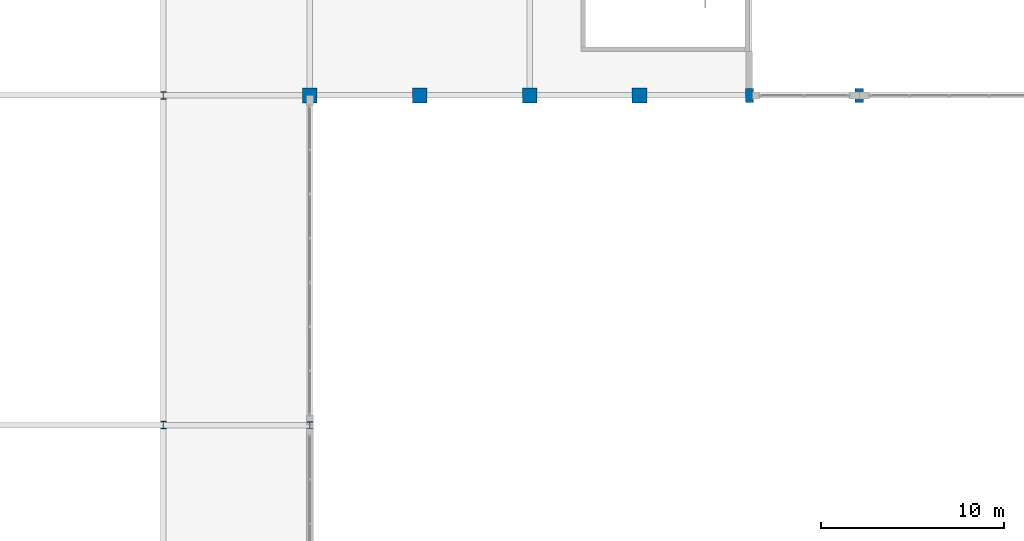
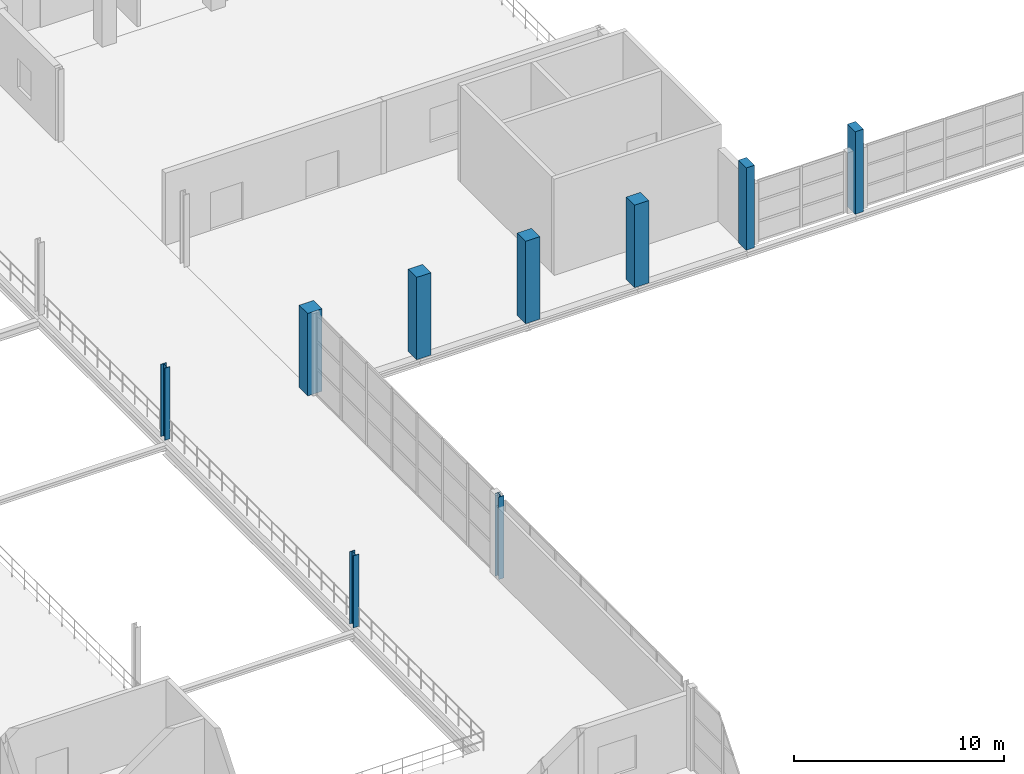
# One storey, part 6 of 147: 9 columns.
"""IFC4 building model written with IfcOpenShell, lengths in metres."""

from ifc_helpers import new_model, si_unit, direction, frame, origin, origin_2d, place, context, subcontext, project, spatial, rectangle, i_section, extrude, material, material_profile, profile_set, type_object, element, save


model = new_model("IFC4")

# Units and contexts
model_context = context("Model", 3, precision=1e-05, world=origin(), true_north=direction((0.0, 1.0)))
body_context = subcontext(model_context, "Body", "Model", "MODEL_VIEW")
ifc_project = project(units=[si_unit("LENGTHUNIT", "METRE"), si_unit("AREAUNIT", "SQUARE_METRE"), si_unit("VOLUMEUNIT", "CUBIC_METRE"), si_unit("PLANEANGLEUNIT", "RADIAN"), si_unit("MASSUNIT", "GRAM", prefix="KILO")], contexts=[model_context])

# Site, building, storey
site_placement = place(None, origin())
site = spatial("IfcSite", under=ifc_project, at=site_placement, CompositionType="ELEMENT")
building_placement = place(site_placement, origin())
building = spatial("IfcBuilding", under=site, at=building_placement, Name="Zilviju Railside Exhibition Hall", CompositionType="ELEMENT")
storey_placement = place(building_placement, frame((0.0, 0.0, 8.39990234375)))
storey = spatial("IfcBuildingStorey", under=building, at=storey_placement, Name="L03", CompositionType="ELEMENT", Elevation=8.39990234375)

# Columns
ifc_material_1 = material(Name="Concrete C40/50", Category="concrete")
ifc_material_profile_1 = material_profile(ifc_material_1, rectangle(XDim=0.800048828125, YDim=0.800048828125, at=origin_2d()), Name="RC COL 800x800")
ifc_profile_set_1 = profile_set([ifc_material_profile_1], Name="Concrete C40/50")
column_type_1 = type_object("IfcColumnType", Name="COL-RC-800", PredefinedType="COLUMN", material=ifc_profile_set_1)
for number, where, z_axis, x_axis, name in (
    (1, (78.0, 54.0, 0.0), (0.0, 0.0, 1.0), (1.0, 0.0, 0.0), "Structural Column L03 (78.0, 54.0)"),
    (2, (84.0, 54.0, 0.0), (0.0, 0.0, 1.0), (1.0, 0.0, 0.0), "Structural Column L03 (84.0, 54.0)"),
    (3, (90.0, 54.0, 0.0), (0.0, 0.0, 1.0), (1.0, 0.0, 0.0), "Structural Column L03 (90.0, 54.0)"),
    (4, (96.0, 54.0, 0.0), (0.0, 0.0, 1.0), (1.0, 0.0, 0.0), "Structural Column L03 (96.0, 54.0)"),
):
    element("IfcColumn", number, at=place(storey_placement, frame(where, z_axis=z_axis, x_axis=x_axis)), inside=storey, type_object=column_type_1, Name=name, PredefinedType="COLUMN", context=body_context, shape_type="SweptSolid", body=[
        extrude(rectangle(XDim=0.800048828125, YDim=0.800048828125, at=origin_2d()), origin(), (0.0, 0.0, 1.0), 4.800048828125),
    ])
ifc_material_2 = material(Name="Steel S355J2", Category="steel")
ifc_material_profile_2 = material_profile(ifc_material_2, i_section(OverallWidth=0.300048828125, OverallDepth=0.360107421875, WebThickness=0.012451171875, FlangeThickness=0.0224609375, at=origin_2d()), Name="HEB 360")
ifc_profile_set_2 = profile_set([ifc_material_profile_2], Name="Steel S355J2")
column_type_2 = type_object("IfcColumnType", Name="COL-ST-HEB360", PredefinedType="COLUMN", material=ifc_profile_set_2)
column_placement = place(storey_placement, frame((78.0, 36.0, 0.0), z_axis=(0.0, 0.0, 1.0), x_axis=(1.0, 0.0, 0.0)))
element("IfcColumn", 5, at=column_placement, inside=storey, type_object=column_type_2, Name="Structural Column L03 (78.0, 36.0)", PredefinedType="COLUMN", context=body_context, shape_type="SweptSolid", body=[
    extrude(i_section(OverallWidth=0.300048828125, OverallDepth=0.360107421875, WebThickness=0.012451171875, FlangeThickness=0.0224609375, at=origin_2d()), origin(), (0.0, 0.0, 1.0), 4.800048828125),
])
ifc_material_profile_3 = material_profile(ifc_material_2, i_section(OverallWidth=0.300048828125, OverallDepth=0.39990234375, WebThickness=0.013427734375, FlangeThickness=0.02392578125, at=origin_2d()), Name="HEB 400")
ifc_profile_set_3 = profile_set([ifc_material_profile_3], Name="Steel S355J2")
column_type_3 = type_object("IfcColumnType", Name="COL-ST-HEB400", PredefinedType="COLUMN", material=ifc_profile_set_3)
for number, where, z_axis, x_axis, name in (
    (6, (70.0, 36.0, 0.0), (0.0, 0.0, 1.0), (1.0, 0.0, 0.0), "Structural Column L03 (70.0, 36.0)"),
    (7, (70.0, 54.0, 0.0), (0.0, 0.0, 1.0), (1.0, 0.0, 0.0), "Structural Column L03 (70.0, 54.0)"),
):
    element("IfcColumn", number, at=place(storey_placement, frame(where, z_axis=z_axis, x_axis=x_axis)), inside=storey, type_object=column_type_3, Name=name, PredefinedType="COLUMN", context=body_context, shape_type="SweptSolid", body=[
        extrude(i_section(OverallWidth=0.300048828125, OverallDepth=0.39990234375, WebThickness=0.013427734375, FlangeThickness=0.02392578125, at=origin_2d()), origin(), (0.0, 0.0, 1.0), 4.2001953125),
    ])
ifc_material_profile_4 = material_profile(ifc_material_1, rectangle(XDim=0.449951171875, YDim=0.75, at=origin_2d()), Name="RC COL 450x750")
ifc_profile_set_4 = profile_set([ifc_material_profile_4], Name="Concrete C40/50")
column_type_4 = type_object("IfcColumnType", Name="PIL-RC-750x450", PredefinedType="PILASTER", material=ifc_profile_set_4)
for number, where, z_axis, x_axis, name in (
    (8, (102.0, 54.0, 0.0), (0.0, 0.0, 1.0), (1.0, 0.0, 0.0), "Structural Column L03 (102.0, 54.0)"),
    (9, (108.0, 54.0, 0.0), (0.0, 0.0, 1.0), (1.0, 0.0, 0.0), "Structural Column L03 (108.0, 54.0)"),
):
    element("IfcColumn", number, at=place(storey_placement, frame(where, z_axis=z_axis, x_axis=x_axis)), inside=storey, type_object=column_type_4, Name=name, PredefinedType="PILASTER", context=body_context, shape_type="SweptSolid", body=[
        extrude(rectangle(XDim=0.449951171875, YDim=0.75, at=origin_2d()), origin(), (0.0, 0.0, 1.0), 4.800048828125),
    ])

save(model, "model.ifc")
